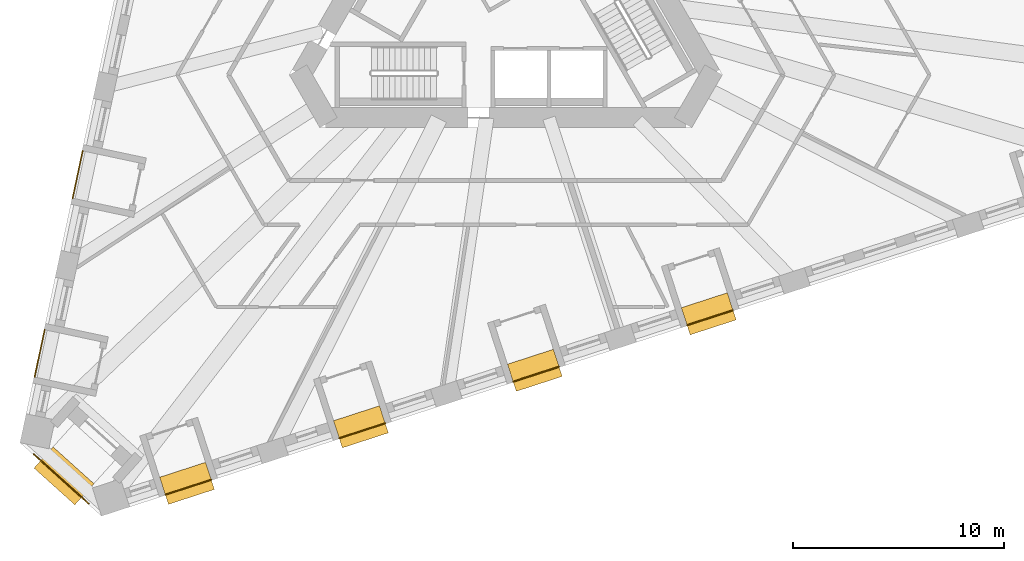
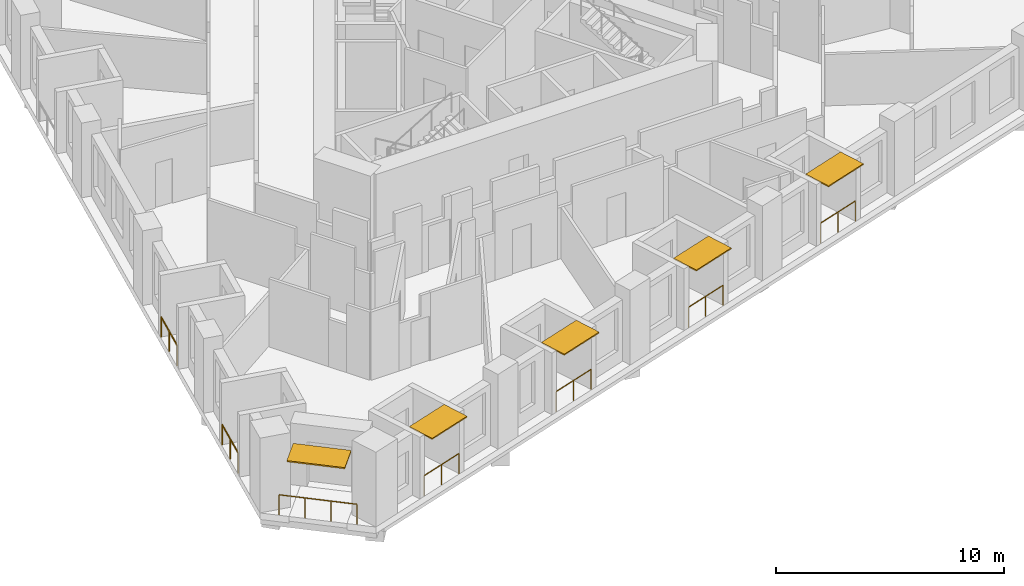
# One storey, part 10 of 12: 7 railings, 5 shading devices.
"""IFC4 building model written with IfcOpenShell, lengths in metres."""

from ifc_helpers import new_model, si_unit, direction, frame, origin, origin_2d, place, context, subcontext, project, spatial, rectangle, circle, extrude, material, layer, layer_set, type_object, element, save


model = new_model("IFC4")

# Units and contexts
model_context = context("Model", 3, precision=1e-05, world=origin(), true_north=direction((0.0, 1.0)))
body_context = subcontext(model_context, "Body", "Model", "MODEL_VIEW")
ifc_project = project(units=[si_unit("LENGTHUNIT", "METRE"), si_unit("AREAUNIT", "SQUARE_METRE"), si_unit("VOLUMEUNIT", "CUBIC_METRE"), si_unit("PLANEANGLEUNIT", "RADIAN"), si_unit("MASSUNIT", "GRAM", prefix="KILO")], contexts=[model_context])

# Site, building, storey
site_placement = place(None, origin())
site = spatial("IfcSite", under=ifc_project, at=site_placement, CompositionType="ELEMENT")
building_placement = place(site_placement, origin())
building = spatial("IfcBuilding", under=site, at=building_placement, Name="Tramontana Tower", CompositionType="ELEMENT")
storey_placement = place(building_placement, frame((0.0, 0.0, 92.39990234375)))
storey = spatial("IfcBuildingStorey", under=building, at=storey_placement, Name="L20", CompositionType="ELEMENT", Elevation=92.39990234375)

# Railings
ifc_material_1 = material(Name="Laminated glass balustrade", Category="glass")
railing_type = type_object("IfcRailingType", Name="GD1 Loggia glass balustrade 1100", PredefinedType="BALUSTRADE", material=ifc_material_1)
railing_1_placement = place(storey_placement, frame((-20.04052734375, -7.85205078125, 0.0)))
element("IfcRailing", 1, at=railing_1_placement, inside=storey, type_object=railing_type, Name="Loggia balustrade L20 G2S0.13", PredefinedType="BALUSTRADE", context=body_context, shape_type="SweptSolid", body=[
    extrude(circle(Radius=0.02392578125, at=origin_2d()), frame((0.0, 0.0, 1.076171875), z_axis=(-0.207888126836, -0.978152609116, 0.0), x_axis=(0.978152609116, -0.207888126836, 0.0)), (0.0, 0.0, 1.0), 2.28662109375),
    extrude(circle(Radius=0.02099609375, at=origin_2d()), origin(), (0.0, 0.0, 1.0), 1.052001953125),
    extrude(circle(Radius=0.02099609375, at=origin_2d()), frame((-0.23779296875, -1.1181640625, 0.0)), (0.0, 0.0, 1.0), 1.052001953125),
    extrude(circle(Radius=0.02099609375, at=origin_2d()), frame((-0.475341796875, -2.236572265625, 0.0)), (0.0, 0.0, 1.0), 1.052001953125),
])
railing_2_placement = place(storey_placement, frame((-21.841064453125, -16.322998046875, 0.0)))
element("IfcRailing", 2, at=railing_2_placement, inside=storey, type_object=railing_type, Name="Loggia balustrade L20 G2S0.16", PredefinedType="BALUSTRADE", context=body_context, shape_type="SweptSolid", body=[
    extrude(circle(Radius=0.02392578125, at=origin_2d()), frame((0.0, 0.0, 1.076171875), z_axis=(-0.207866417042, -0.978157222877, 0.0), x_axis=(0.978157222877, -0.207866417042, 0.0)), (0.0, 0.0, 1.0), 2.286865234375),
    extrude(circle(Radius=0.02099609375, at=origin_2d()), origin(), (0.0, 0.0, 1.0), 1.052001953125),
    extrude(circle(Radius=0.02099609375, at=origin_2d()), frame((-0.23779296875, -1.118408203125, 0.0)), (0.0, 0.0, 1.0), 1.052001953125),
    extrude(circle(Radius=0.02099609375, at=origin_2d()), frame((-0.475341796875, -2.23681640625, 0.0)), (0.0, 0.0, 1.0), 1.052001953125),
])
railing_3_placement = place(storey_placement, frame((-16.125244140625, -24.13427734375, 0.0)))
element("IfcRailing", 3, at=railing_3_placement, inside=storey, type_object=railing_type, Name="Loggia balustrade L20 G2S1.1", PredefinedType="BALUSTRADE", context=body_context, shape_type="SweptSolid", body=[
    extrude(circle(Radius=0.02392578125, at=origin_2d()), frame((0.0, 0.0, 1.076171875), z_axis=(0.95103720697, 0.309076416051, 0.0), x_axis=(-0.309076416051, 0.95103720697, 0.0)), (0.0, 0.0, 1.0), 2.286865234375),
    extrude(circle(Radius=0.02099609375, at=origin_2d()), origin(), (0.0, 0.0, 1.0), 1.052001953125),
    extrude(circle(Radius=0.02099609375, at=origin_2d()), frame((1.08740234375, 0.353515625, 0.0)), (0.0, 0.0, 1.0), 1.052001953125),
    extrude(circle(Radius=0.02099609375, at=origin_2d()), frame((2.1748046875, 0.706787109375, 0.0)), (0.0, 0.0, 1.0), 1.052001953125),
])
railing_4_placement = place(storey_placement, frame((-7.888916015625, -21.4580078125, 0.0)))
element("IfcRailing", 4, at=railing_4_placement, inside=storey, type_object=railing_type, Name="Loggia balustrade L20 G2S1.4", PredefinedType="BALUSTRADE", context=body_context, shape_type="SweptSolid", body=[
    extrude(circle(Radius=0.02392578125, at=origin_2d()), frame((0.0, 0.0, 1.076171875), z_axis=(0.951068585107, 0.308979847923, 0.0), x_axis=(-0.308979847923, 0.951068585107, 0.0)), (0.0, 0.0, 1.0), 2.28662109375),
    extrude(circle(Radius=0.02099609375, at=origin_2d()), origin(), (0.0, 0.0, 1.0), 1.052001953125),
    extrude(circle(Radius=0.02099609375, at=origin_2d()), frame((1.08740234375, 0.353271484375, 0.0)), (0.0, 0.0, 1.0), 1.052001953125),
    extrude(circle(Radius=0.02099609375, at=origin_2d()), frame((2.1748046875, 0.70654296875, 0.0)), (0.0, 0.0, 1.0), 1.052001953125),
])
railing_5_placement = place(storey_placement, frame((0.347412109375, -18.781982421875, 0.0)))
element("IfcRailing", 5, at=railing_5_placement, inside=storey, type_object=railing_type, Name="Loggia balustrade L20 G2S1.7", PredefinedType="BALUSTRADE", context=body_context, shape_type="SweptSolid", body=[
    extrude(circle(Radius=0.02392578125, at=origin_2d()), frame((0.0, 0.0, 1.076171875), z_axis=(0.95103720697, 0.309076416051, 0.0), x_axis=(-0.309076416051, 0.95103720697, 0.0)), (0.0, 0.0, 1.0), 2.286865234375),
    extrude(circle(Radius=0.02099609375, at=origin_2d()), origin(), (0.0, 0.0, 1.0), 1.052001953125),
    extrude(circle(Radius=0.02099609375, at=origin_2d()), frame((1.08740234375, 0.353515625, 0.0)), (0.0, 0.0, 1.0), 1.052001953125),
    extrude(circle(Radius=0.02099609375, at=origin_2d()), frame((2.1748046875, 0.706787109375, 0.0)), (0.0, 0.0, 1.0), 1.052001953125),
])
railing_6_placement = place(storey_placement, frame((8.583740234375, -16.105712890625, 0.0)))
element("IfcRailing", 6, at=railing_6_placement, inside=storey, type_object=railing_type, Name="Loggia balustrade L20 G2S1.10", PredefinedType="BALUSTRADE", context=body_context, shape_type="SweptSolid", body=[
    extrude(circle(Radius=0.02392578125, at=origin_2d()), frame((0.0, 0.0, 1.076171875), z_axis=(0.951068585107, 0.308979847923, 0.0), x_axis=(-0.308979847923, 0.951068585107, 0.0)), (0.0, 0.0, 1.0), 2.28662109375),
    extrude(circle(Radius=0.02099609375, at=origin_2d()), origin(), (0.0, 0.0, 1.0), 1.052001953125),
    extrude(circle(Radius=0.02099609375, at=origin_2d()), frame((1.08740234375, 0.353271484375, 0.0)), (0.0, 0.0, 1.0), 1.052001953125),
    extrude(circle(Radius=0.02099609375, at=origin_2d()), frame((2.1748046875, 0.70654296875, 0.0)), (0.0, 0.0, 1.0), 1.052001953125),
])
railing_7_placement = place(storey_placement, frame((-19.757080078125, -24.557861328125, 0.0)))
element("IfcRailing", 7, at=railing_7_placement, inside=storey, type_object=railing_type, Name="Corner loggia balustrade L20 K21", PredefinedType="BALUSTRADE", context=body_context, shape_type="SweptSolid", body=[
    extrude(circle(Radius=0.02392578125, at=origin_2d()), frame((0.0, 0.0, 1.076171875), z_axis=(-0.743141519559, 0.669134277936, 0.0), x_axis=(-0.669134277936, -0.743141519559, 0.0)), (0.0, 0.0, 1.0), 3.5),
    extrude(circle(Radius=0.02099609375, at=origin_2d()), origin(), (0.0, 0.0, 1.0), 1.052001953125),
    extrude(circle(Radius=0.02099609375, at=origin_2d()), frame((-0.866943359375, 0.78076171875, 0.0)), (0.0, 0.0, 1.0), 1.052001953125),
    extrude(circle(Radius=0.02099609375, at=origin_2d()), frame((-1.734130859375, 1.561279296875, 0.0)), (0.0, 0.0, 1.0), 1.052001953125),
    extrude(circle(Radius=0.02099609375, at=origin_2d()), frame((-2.60107421875, 2.342041015625, 0.0)), (0.0, 0.0, 1.0), 1.052001953125),
])

# Shading devices
ifc_material_2 = material(Name="Precast concrete 60 MPa", Category="concrete")
ifc_layer_1 = layer(ifc_material_2, 0.06005859375)
ifc_layer_set_1 = layer_set([ifc_layer_1], Name="SS1 Stone sunshade blade 60")
shading_device_type_1 = type_object("IfcShadingDeviceType", Name="SS1 Stone sunshade blade 60", PredefinedType="USERDEFINED", material=ifc_layer_set_1)
for number, where, z_axis, x_axis, name in (
    (8, (-15.09814453125, -23.595458984375, 3.239990234375), (0.0, 0.0, 1.0), (0.951056516295, 0.309016994375, 0.0), "Sunshade L20 G2S1.1"),
    (9, (-6.86181640625, -20.919189453125, 3.239990234375), (0.0, 0.0, 1.0), (0.951056516295, 0.309016994375, 0.0), "Sunshade L20 G2S1.4"),
    (10, (1.37451171875, -18.2431640625, 3.239990234375), (0.0, 0.0, 1.0), (0.951056516295, 0.309016994375, 0.0), "Sunshade L20 G2S1.7"),
    (11, (9.611083984375, -15.56689453125, 3.239990234375), (0.0, 0.0, 1.0), (0.951056516295, 0.309016994375, 0.0), "Sunshade L20 G2S1.10"),
):
    element("IfcShadingDevice", number, at=place(storey_placement, frame(where, z_axis=z_axis, x_axis=x_axis)), inside=storey, type_object=shading_device_type_1, Name=name, ObjectType="SUNSHADE", PredefinedType="USERDEFINED", context=body_context, shape_type="SweptSolid", body=[
        extrude(rectangle(XDim=2.286865234375, YDim=1.35009765625, at=origin_2d()), origin(), (0.0, 0.0, 1.0), 0.06005859375),
    ])
ifc_material_3 = material(Name="Precast concrete 60 MPa", Category="concrete")
ifc_layer_2 = layer(ifc_material_3, 0.070068359375)
ifc_layer_set_2 = layer_set([ifc_layer_2], Name="SS2 Stone sunshade blade 70")
shading_device_type_2 = type_object("IfcShadingDeviceType", Name="SS2 Stone sunshade blade 70", PredefinedType="USERDEFINED", material=ifc_layer_set_2)
shading_device_placement = place(storey_placement, frame((-20.927001953125, -23.241943359375, 3.22998046875), z_axis=(0.0, 0.0, 1.0), x_axis=(-0.743144825477, 0.669130606359, 0.0)))
element("IfcShadingDevice", 12, at=shading_device_placement, inside=storey, type_object=shading_device_type_2, Name="Corner sunshade L20 K21", ObjectType="SUNSHADE", PredefinedType="USERDEFINED", context=body_context, shape_type="SweptSolid", body=[
    extrude(rectangle(XDim=2.60009765625, YDim=1.35009765625, at=origin_2d()), origin(), (0.0, 0.0, 1.0), 0.070068359375),
])

save(model, "model.ifc")
